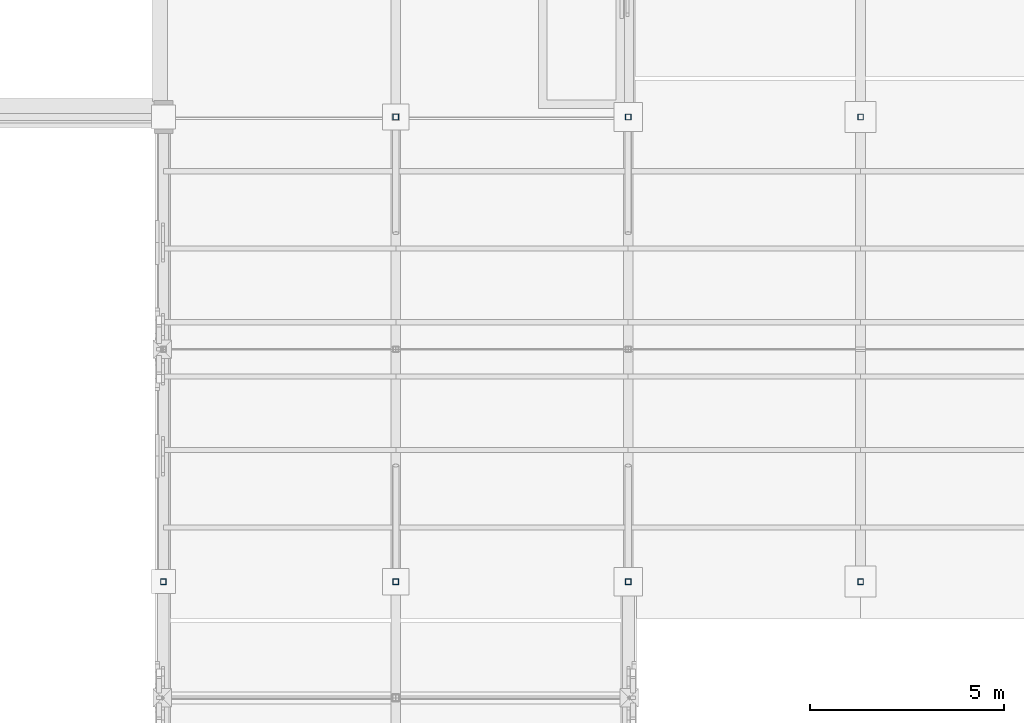
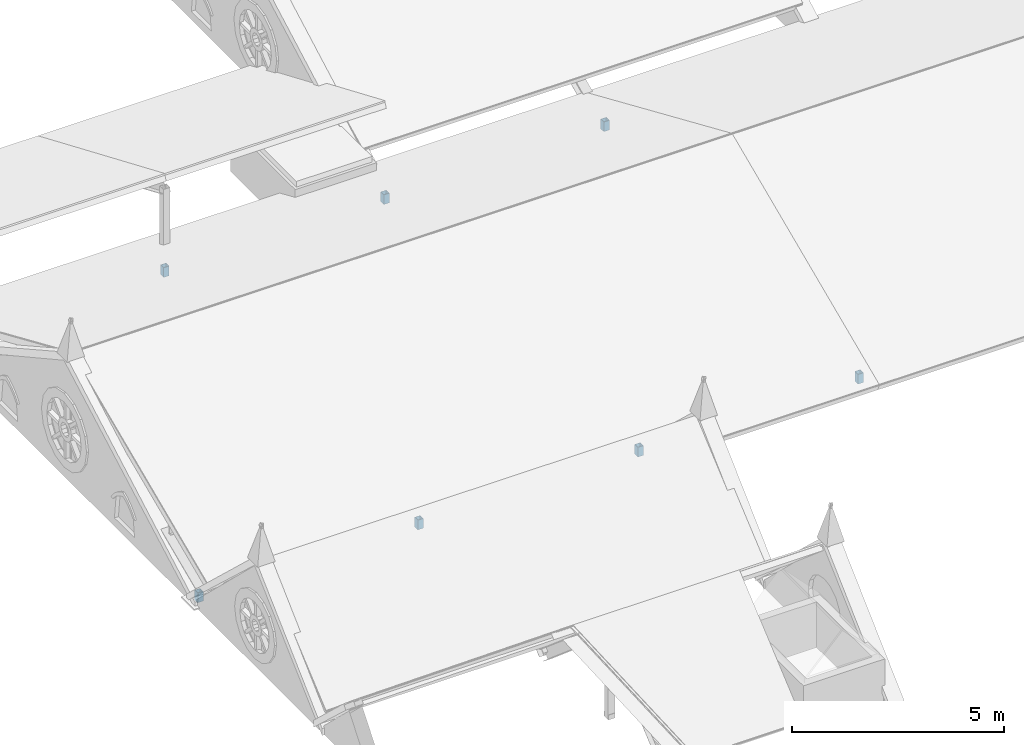
# One storey, part 32 of 59: 7 members.
"""IFC4 building model written with IfcOpenShell, lengths in metres."""

from ifc_helpers import new_model, si_unit, direction, frame, origin, origin_2d, place, context, subcontext, project, spatial, hollow_rectangle, extrude, material, material_profile, profile_set, type_object, element, save


model = new_model("IFC4")

# Units and contexts
model_context = context("Model", 3, precision=1e-05, world=origin(), true_north=direction((0.0, 1.0)))
body_context = subcontext(model_context, "Body", "Model", "MODEL_VIEW")
ifc_project = project(units=[si_unit("LENGTHUNIT", "METRE"), si_unit("AREAUNIT", "SQUARE_METRE"), si_unit("VOLUMEUNIT", "CUBIC_METRE"), si_unit("PLANEANGLEUNIT", "RADIAN"), si_unit("MASSUNIT", "GRAM", prefix="KILO")], contexts=[model_context])

# Site, building, storey
site_placement = place(None, origin())
site = spatial("IfcSite", under=ifc_project, at=site_placement, CompositionType="ELEMENT")
building_placement = place(site_placement, origin())
building = spatial("IfcBuilding", under=site, at=building_placement, Name="Cumevento Cable Car Station", CompositionType="ELEMENT")
storey_placement = place(building_placement, frame((0.0, 0.0, 18.0)))
storey = spatial("IfcBuildingStorey", under=building, at=storey_placement, Name="L05", CompositionType="ELEMENT", Elevation=18.0)

# Members
ifc_material = material(Name="Steel ASTM A572 Grade 50", Category="steel")
ifc_material_profile = material_profile(ifc_material, hollow_rectangle(XDim=0.14990234375, YDim=0.14990234375, WallThickness=0.010009765625, at=origin_2d()), Name="HSS150x150x10.0")
ifc_profile_set = profile_set([ifc_material_profile], Name="Steel ASTM A572 Grade 50")
member_type = type_object("IfcMemberType", Name="Framing Post TD-04 HSS150x150x10.0", PredefinedType="POST", material=ifc_profile_set)
for number, where, z_axis, x_axis, name in (
    (1, (118.0, 33.0, 0.0), (0.0, 0.0, 1.0), (1.0, 0.0, 0.0), "Cabin Garage Truss Heel Post #336"),
    (2, (124.0, 33.0, 0.0), (0.0, 0.0, 1.0), (1.0, 0.0, 0.0), "Cabin Garage Truss Heel Post #340"),
    (3, (124.0, 45.0, 0.0), (0.0, 0.0, 1.0), (1.0, 0.0, 0.0), "Cabin Garage Truss Heel Post #341"),
    (4, (130.0, 33.0, 0.0), (0.0, 0.0, 1.0), (1.0, 0.0, 0.0), "Cabin Garage Truss Heel Post #348"),
    (5, (130.0, 45.0, 0.0), (0.0, 0.0, 1.0), (1.0, 0.0, 0.0), "Cabin Garage Truss Heel Post #349"),
    (6, (136.0, 33.0, 0.0), (0.0, 0.0, 1.0), (1.0, 0.0, 0.0), "Cabin Garage Truss Heel Post #356"),
    (7, (136.0, 45.0, 0.0), (0.0, 0.0, 1.0), (1.0, 0.0, 0.0), "Cabin Garage Truss Heel Post #357"),
):
    element("IfcMember", number, at=place(storey_placement, frame(where, z_axis=z_axis, x_axis=x_axis)), inside=storey, type_object=member_type, Name=name, PredefinedType="POST", context=body_context, shape_type="SweptSolid", body=[
        extrude(hollow_rectangle(XDim=0.14990234375, YDim=0.14990234375, WallThickness=0.010009765625, at=origin_2d()), origin(), (0.0, 0.0, 1.0), 0.280029296875),
    ])

save(model, "model.ifc")
